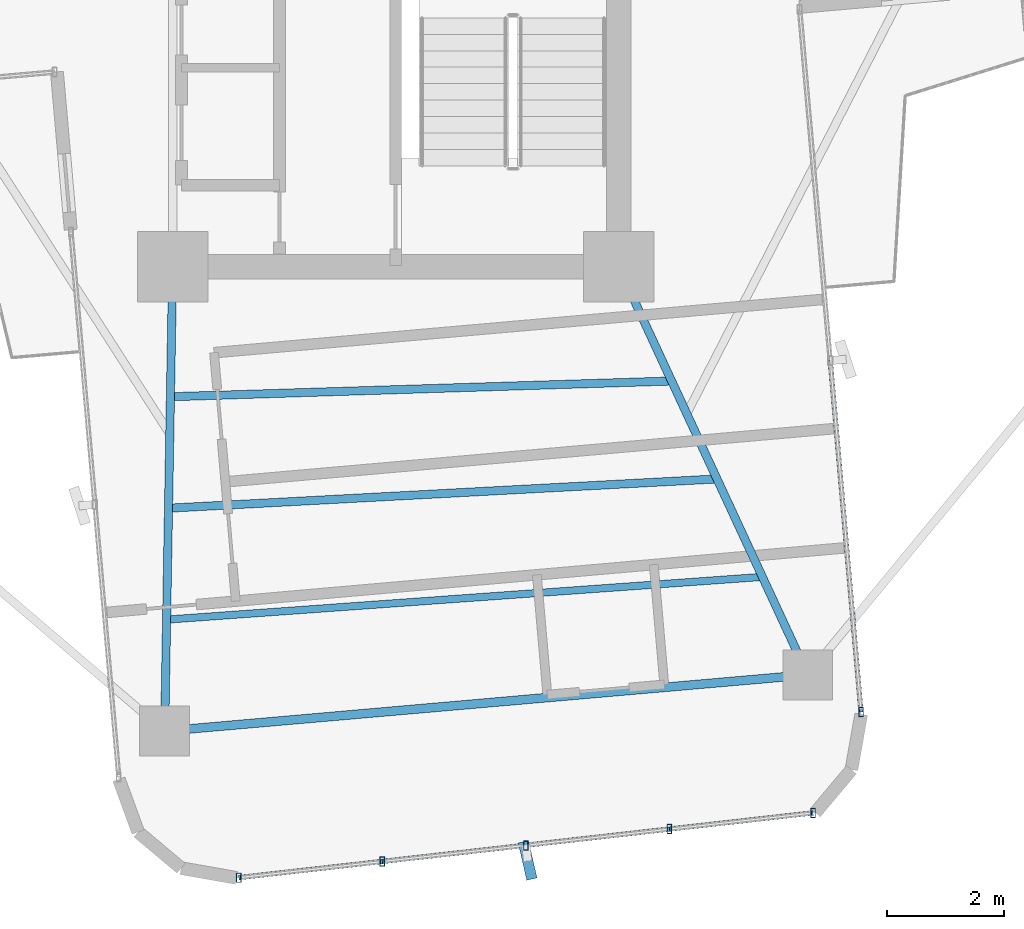
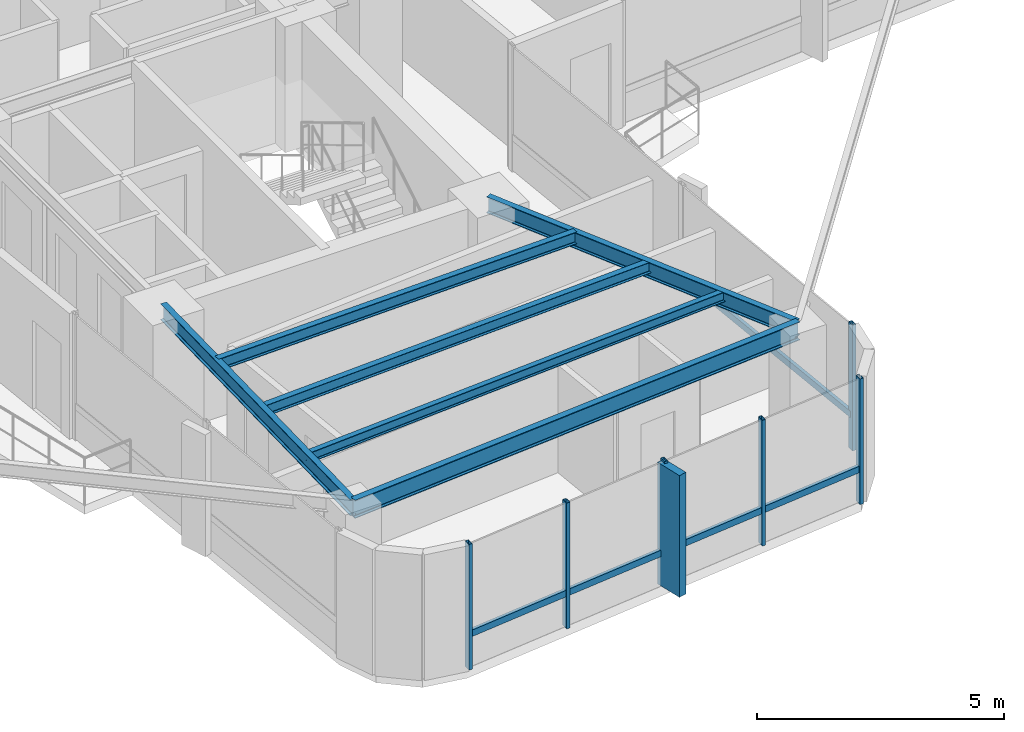
# One storey, part 6 of 24: 12 members, 6 beams, 2 elements without a shape of their own.
"""IFC4 building model written with IfcOpenShell, lengths in metres."""

from ifc_helpers import new_model, si_unit, direction, frame, origin, origin_2d, place, context, subcontext, project, spatial, rectangle, hollow_rectangle, i_section, extrude, source, transform, mapped, material, material_profile, profile_set, type_object, element, aggregate, save


model = new_model("IFC4")

# Units and contexts
model_context = context("Model", 3, precision=1e-05, world=origin(), true_north=direction((0.0, 1.0)))
body_context = subcontext(model_context, "Body", "Model", "MODEL_VIEW")
ifc_project = project(units=[si_unit("LENGTHUNIT", "METRE"), si_unit("AREAUNIT", "SQUARE_METRE"), si_unit("VOLUMEUNIT", "CUBIC_METRE"), si_unit("PLANEANGLEUNIT", "RADIAN"), si_unit("MASSUNIT", "GRAM", prefix="KILO")], contexts=[model_context])

# Site, building, storey
site_placement = place(None, origin())
site = spatial("IfcSite", under=ifc_project, at=site_placement, CompositionType="ELEMENT")
building_placement = place(site_placement, origin())
building = spatial("IfcBuilding", under=site, at=building_placement, Name="Sahyath Konkavel Grand Hotel", CompositionType="ELEMENT")
storey_placement = place(building_placement, frame((0.0, 0.0, 195.300048828125)))
storey = spatial("IfcBuildingStorey", under=building, at=storey_placement, Name="L54", CompositionType="ELEMENT", Elevation=195.300048828125)

# Beams
ifc_material_1 = material(Name="Steel E350", Category="steel")
ifc_material_profile_1 = material_profile(ifc_material_1, i_section(OverallWidth=0.139892578125, OverallDepth=0.39990234375, WebThickness=0.0087890625, FlangeThickness=0.01611328125, FilletRadius=0.013916015625, at=origin_2d()), Name="ISMB 400")
ifc_profile_set_1 = profile_set([ifc_material_profile_1], Name="Steel E350")
beam_type_1 = type_object("IfcBeamType", Name="BM-ISMB400", PredefinedType="BEAM", material=ifc_profile_set_1)
shared_shape_1 = source(origin(), body_context, "Body", "SweptSolid", [
    extrude(i_section(OverallWidth=0.139892578125, OverallDepth=0.39990234375, WebThickness=0.0087890625, FlangeThickness=0.01611328125, FilletRadius=0.013916015625, at=origin_2d()), origin(), (0.0, 0.0, 1.0), 7.913330078125),
])
beam_1_placement = place(storey_placement, frame((-3.800048828125, -10.199951171875, 2.909912109375), z_axis=(-0.017215419232, -0.999851803689, 0.0), x_axis=(0.999851803689, -0.017215419232, 0.0)))
element("IfcBeam", 1, at=beam_1_placement, inside=storey, type_object=beam_type_1, Name="L54 Cruciform Radial Girder SA", PredefinedType="BEAM", context=body_context, shape_type="MappedRepresentation", body=[
    mapped(shared_shape_1, transform((0.0, 0.0, 0.0), scale=1.0)),
])
shared_shape_2 = source(origin(), body_context, "Body", "SweptSolid", [
    extrude(i_section(OverallWidth=0.139892578125, OverallDepth=0.39990234375, WebThickness=0.0087890625, FlangeThickness=0.01611328125, FilletRadius=0.013916015625, at=origin_2d()), origin(), (0.0, 0.0, 1.0), 7.66357421875),
])
beam_2_placement = place(storey_placement, frame((3.800048828125, -10.199951171875, 2.909912109375), z_axis=(0.420395127561, -0.907341135804, 0.0), x_axis=(0.907341135804, 0.420395127561, 0.0)))
element("IfcBeam", 2, at=beam_2_placement, inside=storey, type_object=beam_type_1, Name="L54 Cruciform Radial Girder SB", PredefinedType="BEAM", context=body_context, shape_type="MappedRepresentation", body=[
    mapped(shared_shape_2, transform((0.0, 0.0, 0.0), scale=1.0)),
])
ifc_material_profile_2 = material_profile(ifc_material_1, i_section(OverallWidth=0.14990234375, OverallDepth=0.449951171875, WebThickness=0.009521484375, FlangeThickness=0.017333984375, FilletRadius=0.014892578125, at=origin_2d()), Name="ISMB 450")
ifc_profile_set_2 = profile_set([ifc_material_profile_2], Name="Steel E350")
beam_type_2 = type_object("IfcBeamType", Name="BM-ISMB450", PredefinedType="BEAM", material=ifc_profile_set_2)
shared_shape_3 = source(origin(), body_context, "Body", "SweptSolid", [
    extrude(i_section(OverallWidth=0.14990234375, OverallDepth=0.449951171875, WebThickness=0.009521484375, FlangeThickness=0.017333984375, FilletRadius=0.014892578125, at=origin_2d()), origin(), (0.0, 0.0, 1.0), 10.999755859375),
])
beam_3_placement = place(storey_placement, frame((-3.936279296875, -18.112060546875, 2.885009765625), z_axis=(0.99619439202, 0.087159241098, 0.0), x_axis=(-0.087159241098, 0.99619439202, 0.0)))
element("IfcBeam", 3, at=beam_3_placement, inside=storey, type_object=beam_type_2, Name="L54 Wing Tip Edge Beam S", PredefinedType="BEAM", context=body_context, shape_type="MappedRepresentation", body=[
    mapped(shared_shape_3, transform((0.0, 0.0, 0.0), scale=1.0)),
])
ifc_material_profile_3 = material_profile(ifc_material_1, i_section(OverallWidth=0.139892578125, OverallDepth=0.300048828125, WebThickness=0.0078125, FlangeThickness=0.01318359375, FilletRadius=0.013916015625, at=origin_2d()), Name="ISMB 300")
ifc_profile_set_3 = profile_set([ifc_material_profile_3], Name="Steel E350")
beam_type_3 = type_object("IfcBeamType", Name="BM-ISMB300", PredefinedType="BEAM", material=ifc_profile_set_3)
shared_shape_4 = source(origin(), body_context, "Body", "SweptSolid", [
    extrude(i_section(OverallWidth=0.139892578125, OverallDepth=0.300048828125, WebThickness=0.0078125, FlangeThickness=0.01318359375, FilletRadius=0.013916015625, at=origin_2d()), origin(), (0.0, 0.0, 1.0), 8.54443359375),
])
beam_4_placement = place(storey_placement, frame((-3.838134765625, -12.415283203125, 2.9599609375), z_axis=(0.999506849365, 0.031401561632, 0.0), x_axis=(-0.031401561632, 0.999506849365, 0.0)))
element("IfcBeam", 4, at=beam_4_placement, inside=storey, type_object=beam_type_3, Name="L54 Secondary Floor Beam S-1", PredefinedType="BEAM", context=body_context, shape_type="MappedRepresentation", body=[
    mapped(shared_shape_4, transform((0.0, 0.0, 0.0), scale=1.0)),
])
ifc_material_profile_4 = material_profile(ifc_material_1, i_section(OverallWidth=0.139892578125, OverallDepth=0.27490234375, WebThickness=0.00634765625, FlangeThickness=0.0087890625, FilletRadius=0.012939453125, at=origin_2d()), Name="ISLB 275")
ifc_profile_set_4 = profile_set([ifc_material_profile_4], Name="Steel E350")
beam_type_4 = type_object("IfcBeamType", Name="BM-ISLB275", PredefinedType="BEAM", material=ifc_profile_set_4)
shared_shape_5 = source(origin(), body_context, "Body", "SweptSolid", [
    extrude(i_section(OverallWidth=0.139892578125, OverallDepth=0.27490234375, WebThickness=0.00634765625, FlangeThickness=0.0087890625, FilletRadius=0.012939453125, at=origin_2d()), origin(), (0.0, 0.0, 1.0), 9.359375),
])
beam_5_placement = place(storey_placement, frame((-3.870849609375, -14.314208984375, 2.972412109375), z_axis=(0.998580397723, 0.053265272769, 0.0), x_axis=(-0.053265272769, 0.998580397723, 0.0)))
element("IfcBeam", 5, at=beam_5_placement, inside=storey, type_object=beam_type_4, Name="L54 Secondary Floor Beam S-2", PredefinedType="BEAM", context=body_context, shape_type="MappedRepresentation", body=[
    mapped(shared_shape_5, transform((0.0, 0.0, 0.0), scale=1.0)),
])
ifc_material_profile_5 = material_profile(ifc_material_1, i_section(OverallWidth=0.125, OverallDepth=0.25, WebThickness=0.0068359375, FlangeThickness=0.012451171875, FilletRadius=0.012939453125, at=origin_2d()), Name="ISMB 250")
ifc_profile_set_5 = profile_set([ifc_material_profile_5], Name="Steel E350")
beam_type_5 = type_object("IfcBeamType", Name="BM-ISMB250", PredefinedType="BEAM", material=ifc_profile_set_5)
shared_shape_6 = source(origin(), body_context, "Body", "SweptSolid", [
    extrude(i_section(OverallWidth=0.125, OverallDepth=0.25, WebThickness=0.0068359375, FlangeThickness=0.012451171875, FilletRadius=0.012939453125, at=origin_2d()), origin(), (0.0, 0.0, 1.0), 10.178466796875),
])
beam_6_placement = place(storey_placement, frame((-3.90380859375, -16.213134765625, 2.98486328125), z_axis=(0.997435268886, 0.071574327683, 0.0), x_axis=(-0.071574327683, 0.997435268886, 0.0)))
element("IfcBeam", 6, at=beam_6_placement, inside=storey, type_object=beam_type_5, Name="L54 Secondary Floor Beam S-3", PredefinedType="BEAM", context=body_context, shape_type="MappedRepresentation", body=[
    mapped(shared_shape_6, transform((0.0, 0.0, 0.0), scale=1.0)),
])

# Curtain wall, members
ifc_material_2 = material(Name="Anodised Bronze Aluminium & Low-E Glazing", Category="aluminium")
curtain_wall_type = type_object("IfcCurtainWallType", Name="CW-ZONE3", PredefinedType="NOTDEFINED", material=ifc_material_2)
curtain_wall_1_placement = place(storey_placement, origin())
curtain_wall_1 = element("IfcCurtainWall", 7, at=curtain_wall_1_placement, inside=storey, type_object=curtain_wall_type, Name="L54 Unitised Curtain Wall F28", PredefinedType="NOTDEFINED")
ifc_material_3 = material(Name="Anodised Bronze Aluminium", Category="aluminium")
ifc_material_profile_6 = material_profile(ifc_material_3, hollow_rectangle(XDim=0.080078125, YDim=0.159912109375, WallThickness=0.006103515625, at=origin_2d()), Name="RHS 160x80x6")
ifc_profile_set_6 = profile_set([ifc_material_profile_6], Name="Anodised Bronze Aluminium")
member_type_1 = type_object("IfcMemberType", Name="CW-MUL-160", PredefinedType="MULLION", material=ifc_profile_set_6)
shared_shape_7 = source(origin(), body_context, "Body", "SweptSolid", [
    extrude(hollow_rectangle(XDim=0.080078125, YDim=0.159912109375, WallThickness=0.006103515625, at=origin_2d()), origin(), (0.0, 0.0, 1.0), 3.10986328125),
])
member_1_placement = place(storey_placement, frame((-2.673828125, -20.610595703125, 0.0), z_axis=(0.0, 0.0, 1.0), x_axis=(1.0, 0.0, 0.0)))
member_1 = element("IfcMember", 8, at=member_1_placement, type_object=member_type_1, Name="L54 Curtain Wall Mullion F28-0", PredefinedType="MULLION", context=body_context, shape_type="MappedRepresentation", body=[
    mapped(shared_shape_7, transform((0.0, 0.0, 0.0), scale=1.0)),
])
member_2_placement = place(storey_placement, frame((-0.227294921875, -20.334716796875, 0.0), z_axis=(0.0, 0.0, 1.0), x_axis=(1.0, 0.0, 0.0)))
member_2 = element("IfcMember", 9, at=member_2_placement, type_object=member_type_1, Name="L54 Curtain Wall Mullion F28-1", PredefinedType="MULLION", context=body_context, shape_type="MappedRepresentation", body=[
    mapped(shared_shape_7, transform((0.0, 0.0, 0.0), scale=1.0)),
])
member_3_placement = place(storey_placement, frame((2.21923828125, -20.05908203125, 0.0), z_axis=(0.0, 0.0, 1.0), x_axis=(1.0, 0.0, 0.0)))
member_3 = element("IfcMember", 10, at=member_3_placement, type_object=member_type_1, Name="L54 Curtain Wall Mullion F28-2", PredefinedType="MULLION", context=body_context, shape_type="MappedRepresentation", body=[
    mapped(shared_shape_7, transform((0.0, 0.0, 0.0), scale=1.0)),
])
member_4_placement = place(storey_placement, frame((4.665771484375, -19.783203125, 0.0), z_axis=(0.0, 0.0, 1.0), x_axis=(1.0, 0.0, 0.0)))
member_4 = element("IfcMember", 11, at=member_4_placement, type_object=member_type_1, Name="L54 Curtain Wall Mullion F28-3", PredefinedType="MULLION", context=body_context, shape_type="MappedRepresentation", body=[
    mapped(shared_shape_7, transform((0.0, 0.0, 0.0), scale=1.0)),
])
member_5_placement = place(storey_placement, frame((7.1123046875, -19.507568359375, 0.0), z_axis=(0.0, 0.0, 1.0), x_axis=(1.0, 0.0, 0.0)))
member_5 = element("IfcMember", 12, at=member_5_placement, type_object=member_type_1, Name="L54 Curtain Wall Mullion F28-4", PredefinedType="MULLION", context=body_context, shape_type="MappedRepresentation", body=[
    mapped(shared_shape_7, transform((0.0, 0.0, 0.0), scale=1.0)),
])

# Curtain wall, member
curtain_wall_2_placement = place(storey_placement, origin())
curtain_wall_2 = element("IfcCurtainWall", 13, at=curtain_wall_2_placement, inside=storey, type_object=curtain_wall_type, Name="L54 Unitised Curtain Wall F31", PredefinedType="NOTDEFINED")
member_6_placement = place(storey_placement, frame((7.930419921875, -17.78662109375, 0.0), z_axis=(0.0, 0.0, 1.0), x_axis=(1.0, 0.0, 0.0)))
member_6 = element("IfcMember", 14, at=member_6_placement, type_object=member_type_1, Name="L54 Curtain Wall Mullion F31-0", PredefinedType="MULLION", context=body_context, shape_type="MappedRepresentation", body=[
    mapped(shared_shape_7, transform((0.0, 0.0, 0.0), scale=1.0)),
])

# Member
ifc_material_4 = material(Name="Warm Buff Sandstone Cladding on Concrete C50/60", Category="masonry")
ifc_material_profile_7 = material_profile(ifc_material_4, rectangle(XDim=0.179931640625, YDim=0.64990234375, at=origin_2d()), Name="FIN 180x650")
ifc_profile_set_7 = profile_set([ifc_material_profile_7], Name="Warm Buff Sandstone Cladding on Concrete C50/60")
member_type_2 = type_object("IfcMemberType", Name="FIN-SANDSTONE-650", PredefinedType="MULLION", material=ifc_profile_set_7)
shared_shape_8 = source(origin(), body_context, "Body", "SweptSolid", [
    extrude(rectangle(XDim=0.179931640625, YDim=0.64990234375, at=origin_2d()), origin(), (0.0, 0.0, 1.0), 3.010009765625),
])
member_7_placement = place(storey_placement, frame((2.248291015625, -20.3173828125, 0.050048828125), z_axis=(0.0, 0.0, 1.0), x_axis=(0.974644167091, 0.223760469153, 0.0)))
member_7 = element("IfcMember", 15, at=member_7_placement, type_object=member_type_2, Name="L54 Sandstone Vertical Solar Fin FIN F28-2", PredefinedType="MULLION", context=body_context, shape_type="MappedRepresentation", body=[
    mapped(shared_shape_8, transform((0.0, 0.0, 0.0), scale=1.0)),
])

ifc_material_profile_8 = material_profile(ifc_material_3, hollow_rectangle(XDim=0.080078125, YDim=0.159912109375, WallThickness=0.006103515625, at=origin_2d()), Name="RHS 160x80x6")
ifc_profile_set_8 = profile_set([ifc_material_profile_8], Name="Anodised Bronze Aluminium")
member_type_3 = type_object("IfcMemberType", Name="CW-TRN-160", PredefinedType="USERDEFINED", material=ifc_profile_set_8)
shared_shape_9 = source(origin(), body_context, "Body", "SweptSolid", [
    extrude(hollow_rectangle(XDim=0.080078125, YDim=0.159912109375, WallThickness=0.006103515625, at=origin_2d()), origin(), (0.0, 0.0, 1.0), 2.462158203125),
])
member_8_placement = place(storey_placement, frame((-2.673828125, -20.610595703125, 0.849853515625), z_axis=(0.99370222711, 0.112053040279, 0.0), x_axis=(-0.112053040279, 0.99370222711, 0.0)))
member_8 = element("IfcMember", 16, at=member_8_placement, type_object=member_type_3, Name="L54 Curtain Wall Transom F28-0-spandrel", ObjectType="TRANSOM", PredefinedType="USERDEFINED", context=body_context, shape_type="MappedRepresentation", body=[
    mapped(shared_shape_9, transform((0.0, 0.0, 0.0), scale=1.0)),
])

member_9_placement = place(storey_placement, frame((2.21923828125, -20.05908203125, 0.849853515625), z_axis=(0.99370222711, 0.112053040279, 0.0), x_axis=(-0.112053040279, 0.99370222711, 0.0)))
member_9 = element("IfcMember", 17, at=member_9_placement, type_object=member_type_3, Name="L54 Curtain Wall Transom F28-2-spandrel", ObjectType="TRANSOM", PredefinedType="USERDEFINED", context=body_context, shape_type="MappedRepresentation", body=[
    mapped(shared_shape_9, transform((0.0, 0.0, 0.0), scale=1.0)),
])

shared_shape_10 = source(origin(), body_context, "Body", "SweptSolid", [
    extrude(hollow_rectangle(XDim=0.080078125, YDim=0.159912109375, WallThickness=0.006103515625, at=origin_2d()), origin(), (0.0, 0.0, 1.0), 2.4619140625),
])
member_10_placement = place(storey_placement, frame((-0.227294921875, -20.334716796875, 0.849853515625), z_axis=(0.993713263833, 0.111955121731, 0.0), x_axis=(-0.111955121731, 0.993713263833, 0.0)))
member_10 = element("IfcMember", 18, at=member_10_placement, type_object=member_type_3, Name="L54 Curtain Wall Transom F28-1-spandrel", ObjectType="TRANSOM", PredefinedType="USERDEFINED", context=body_context, shape_type="MappedRepresentation", body=[
    mapped(shared_shape_10, transform((0.0, 0.0, 0.0), scale=1.0)),
])

member_11_placement = place(storey_placement, frame((4.665771484375, -19.783203125, 0.849853515625), z_axis=(0.993713263833, 0.111955121731, 0.0), x_axis=(-0.111955121731, 0.993713263833, 0.0)))
member_11 = element("IfcMember", 19, at=member_11_placement, type_object=member_type_3, Name="L54 Curtain Wall Transom F28-3-spandrel", ObjectType="TRANSOM", PredefinedType="USERDEFINED", context=body_context, shape_type="MappedRepresentation", body=[
    mapped(shared_shape_10, transform((0.0, 0.0, 0.0), scale=1.0)),
])

aggregate(curtain_wall_1, [member_1, member_2, member_3, member_7, member_4, member_5, member_8, member_10, member_9, member_11])

shared_shape_11 = source(origin(), body_context, "Body", "SweptSolid", [
    extrude(hollow_rectangle(XDim=0.080078125, YDim=0.159912109375, WallThickness=0.006103515625, at=origin_2d()), origin(), (0.0, 0.0, 1.0), 6.01025390625),
])
member_12_placement = place(storey_placement, frame((7.930419921875, -17.78662109375, 0.849853515625), z_axis=(-0.087172997156, 0.996193188376, 0.0), x_axis=(-0.996193188376, -0.087172997156, 0.0)))
member_12 = element("IfcMember", 20, at=member_12_placement, type_object=member_type_3, Name="L54 Curtain Wall Transom F31-0-spandrel", ObjectType="TRANSOM", PredefinedType="USERDEFINED", context=body_context, shape_type="MappedRepresentation", body=[
    mapped(shared_shape_11, transform((0.0, 0.0, 0.0), scale=1.0)),
])

aggregate(curtain_wall_2, [member_6, member_12])

save(model, "model.ifc")
